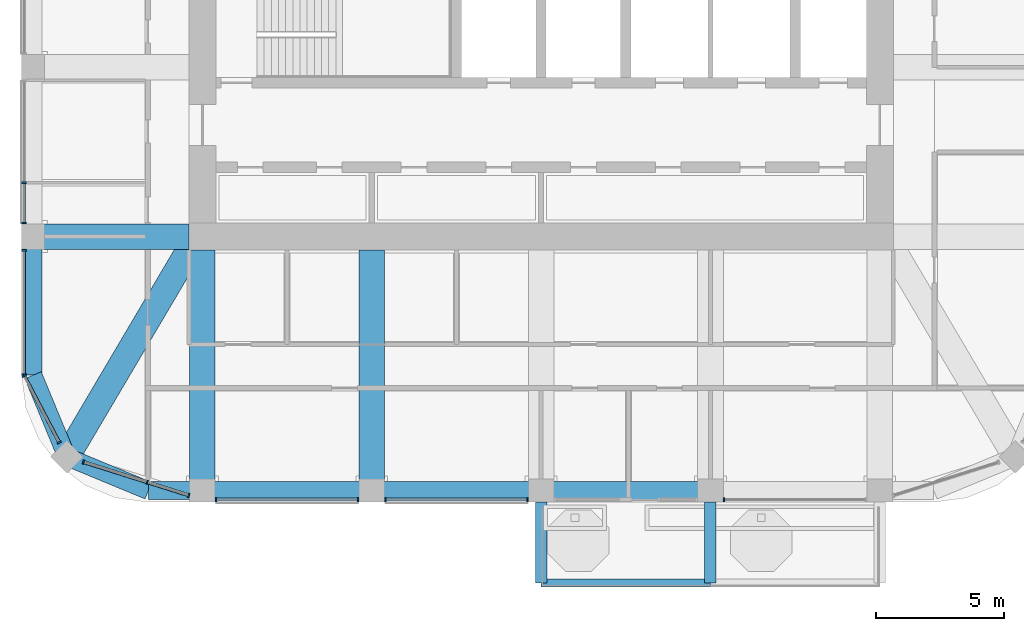
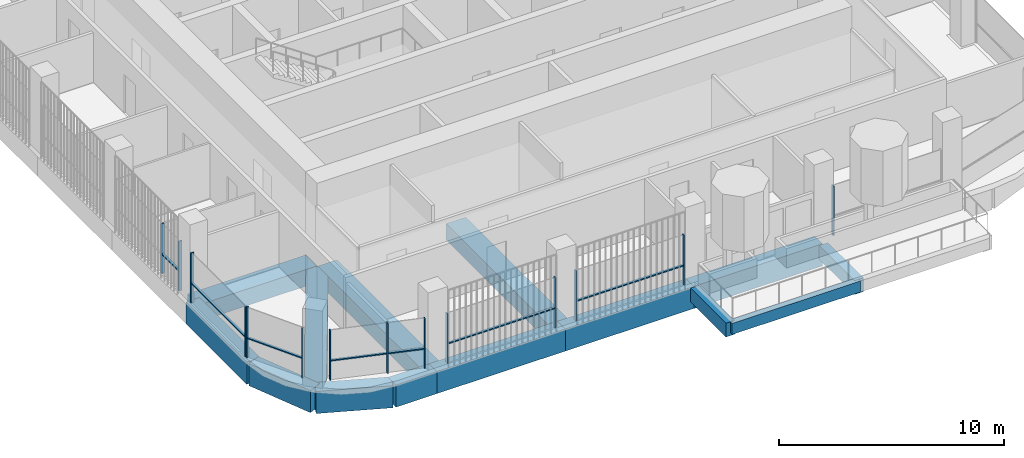
# One storey, part 2 of 21: 21 members, 14 beams, 7 elements without a shape of their own.
"""IFC4 building model written with IfcOpenShell, lengths in metres."""

from ifc_helpers import new_model, si_unit, direction, frame, origin, origin_2d, place, context, subcontext, project, spatial, rectangle, extrude, material, material_profile, profile_set, type_object, element, aggregate, save


model = new_model("IFC4")

# Units and contexts
model_context = context("Model", 3, precision=1e-05, world=origin(), true_north=direction((0.0, 1.0)))
body_context = subcontext(model_context, "Body", "Model", "MODEL_VIEW")
ifc_project = project(units=[si_unit("LENGTHUNIT", "METRE"), si_unit("AREAUNIT", "SQUARE_METRE"), si_unit("VOLUMEUNIT", "CUBIC_METRE"), si_unit("PLANEANGLEUNIT", "RADIAN"), si_unit("MASSUNIT", "GRAM", prefix="KILO")], contexts=[model_context])

# Site, building, storey
site_placement = place(None, origin())
site = spatial("IfcSite", under=ifc_project, at=site_placement, CompositionType="ELEMENT")
building_placement = place(site_placement, origin())
building = spatial("IfcBuilding", under=site, at=building_placement, Name="Cobogo Forest Laboratory Tower", CompositionType="ELEMENT")
storey_placement = place(building_placement, frame((0.0, 0.0, 267.0)))
storey = spatial("IfcBuildingStorey", under=building, at=storey_placement, Name="L61", CompositionType="ELEMENT", Elevation=267.0)

# Beams
ifc_material_1 = material(Name="Concrete HA-40 (C40/50)", Category="concrete")
ifc_material_profile_1 = material_profile(ifc_material_1, rectangle(XDim=0.449951171875, YDim=0.75, at=origin_2d()), Name="RC 450x750")
ifc_profile_set_1 = profile_set([ifc_material_profile_1], Name="Concrete HA-40 (C40/50)")
beam_type_1 = type_object("IfcBeamType", Name="Balcony cantilever beam 450x750", PredefinedType="BEAM", material=ifc_profile_set_1)
for number, where, z_axis, x_axis, name in (
    (1, (26.39990234375, 2.85009765625, -0.625), (0.0, -1.0, 0.0), (1.0, 0.0, 0.0), "CB1 BAL-S1-C1 L61"),
    (2, (33.0, 2.85009765625, -0.625), (0.0, -1.0, 0.0), (1.0, 0.0, 0.0), "CB1 BAL-S1-C2 L61"),
):
    element("IfcBeam", number, at=place(storey_placement, frame(where, z_axis=z_axis, x_axis=x_axis)), inside=storey, type_object=beam_type_1, Name=name, PredefinedType="BEAM", context=body_context, shape_type="SweptSolid", body=[
        extrude(rectangle(XDim=0.449951171875, YDim=0.75, at=origin_2d()), origin(), (0.0, 0.0, 1.0), 3.150146484375),
    ])
ifc_material_profile_2 = material_profile(ifc_material_1, rectangle(XDim=0.300048828125, YDim=0.60009765625, at=origin_2d()), Name="RC 300x600")
ifc_profile_set_2 = profile_set([ifc_material_profile_2], Name="Concrete HA-40 (C40/50)")
beam_type_2 = type_object("IfcBeamType", Name="Balcony edge beam 300x600", PredefinedType="BEAM", material=ifc_profile_set_2)
beam_1_placement = place(storey_placement, frame((26.39990234375, -0.300048828125, -0.550048828125), z_axis=(1.0, 0.0, 0.0), x_axis=(0.0, 1.0, 0.0)))
element("IfcBeam", 3, at=beam_1_placement, inside=storey, type_object=beam_type_2, Name="BB1 BAL-S1-T1 L61", PredefinedType="BEAM", context=body_context, shape_type="SweptSolid", body=[
    extrude(rectangle(XDim=0.300048828125, YDim=0.60009765625, at=origin_2d()), origin(), (0.0, 0.0, 1.0), 6.60009765625),
])

# Curtain wall, members
ifc_material_2 = material(Name="Aluminium curtain wall", Category="aluminium")
curtain_wall_type = type_object("IfcCurtainWallType", Name="CW-2 unitised curtain wall, solar control glazing, laboratory floors zones C and D", PredefinedType="USERDEFINED", material=ifc_material_2)
curtain_wall_1_placement = place(storey_placement, origin())
curtain_wall_1 = element("IfcCurtainWall", 4, at=curtain_wall_1_placement, inside=storey, type_object=curtain_wall_type, Name="Curtain wall 01 L61", ObjectType="UNITISED CURTAIN WALL", PredefinedType="USERDEFINED")
ifc_material_3 = material(Name="Aluminium mullion", Category="aluminium")
ifc_material_profile_3 = material_profile(ifc_material_3, rectangle(XDim=0.06005859375, YDim=0.159912109375, at=origin_2d()), Name="AL 60x160")
ifc_profile_set_3 = profile_set([ifc_material_profile_3], Name="Aluminium mullion")
member_type_1 = type_object("IfcMemberType", Name="MU-1 aluminium mullion 60x160", PredefinedType="MULLION", material=ifc_profile_set_3)
member_1_placement = place(storey_placement, frame((13.72998046875, 2.949951171875, 0.0), z_axis=(0.0, 0.0, 1.0), x_axis=(1.0, 0.0, 0.0)))
member_1 = element("IfcMember", 5, at=member_1_placement, type_object=member_type_1, Name="CW-2 mullion 1", PredefinedType="MULLION", context=body_context, shape_type="SweptSolid", body=[
    extrude(rectangle(XDim=0.06005859375, YDim=0.159912109375, at=origin_2d()), origin(), (0.0, 0.0, 1.0), 2.699951171875),
])
member_2_placement = place(storey_placement, frame((19.27001953125, 2.949951171875, 0.0), z_axis=(0.0, 0.0, 1.0), x_axis=(1.0, 0.0, 0.0)))
member_2 = element("IfcMember", 6, at=member_2_placement, type_object=member_type_1, Name="CW-2 mullion 2", PredefinedType="MULLION", context=body_context, shape_type="SweptSolid", body=[
    extrude(rectangle(XDim=0.06005859375, YDim=0.159912109375, at=origin_2d()), origin(), (0.0, 0.0, 1.0), 2.699951171875),
])

curtain_wall_2_placement = place(storey_placement, origin())
curtain_wall_2 = element("IfcCurtainWall", 7, at=curtain_wall_2_placement, inside=storey, type_object=curtain_wall_type, Name="Curtain wall 02 L61", ObjectType="UNITISED CURTAIN WALL", PredefinedType="USERDEFINED")
member_3_placement = place(storey_placement, frame((20.330078125, 2.949951171875, 0.0), z_axis=(0.0, 0.0, 1.0), x_axis=(1.0, 0.0, 0.0)))
member_3 = element("IfcMember", 8, at=member_3_placement, type_object=member_type_1, Name="CW-2 mullion 1", PredefinedType="MULLION", context=body_context, shape_type="SweptSolid", body=[
    extrude(rectangle(XDim=0.06005859375, YDim=0.159912109375, at=origin_2d()), origin(), (0.0, 0.0, 1.0), 2.699951171875),
])
member_4_placement = place(storey_placement, frame((25.8701171875, 2.949951171875, 0.0), z_axis=(0.0, 0.0, 1.0), x_axis=(1.0, 0.0, 0.0)))
member_4 = element("IfcMember", 9, at=member_4_placement, type_object=member_type_1, Name="CW-2 mullion 2", PredefinedType="MULLION", context=body_context, shape_type="SweptSolid", body=[
    extrude(rectangle(XDim=0.06005859375, YDim=0.159912109375, at=origin_2d()), origin(), (0.0, 0.0, 1.0), 2.699951171875),
])

# Curtain wall, member
curtain_wall_3_placement = place(storey_placement, origin())
curtain_wall_3 = element("IfcCurtainWall", 10, at=curtain_wall_3_placement, inside=storey, type_object=curtain_wall_type, Name="Curtain wall 04 L61", ObjectType="UNITISED CURTAIN WALL", PredefinedType="USERDEFINED")
member_5_placement = place(storey_placement, frame((33.530029296875, 2.949951171875, 0.0), z_axis=(0.0, 0.0, 1.0), x_axis=(1.0, 0.0, 0.0)))
member_5 = element("IfcMember", 11, at=member_5_placement, type_object=member_type_1, Name="CW-2 mullion 1", PredefinedType="MULLION", context=body_context, shape_type="SweptSolid", body=[
    extrude(rectangle(XDim=0.06005859375, YDim=0.159912109375, at=origin_2d()), origin(), (0.0, 0.0, 1.0), 2.699951171875),
])
aggregate(curtain_wall_3, [member_5])

# Curtain wall, members
curtain_wall_4_placement = place(storey_placement, origin())
curtain_wall_4 = element("IfcCurtainWall", 12, at=curtain_wall_4_placement, inside=storey, type_object=curtain_wall_type, Name="Curtain wall 23 L61", ObjectType="UNITISED CURTAIN WALL", PredefinedType="USERDEFINED")
member_6_placement = place(storey_placement, frame((6.25, 15.300048828125, 0.0), z_axis=(0.0, 0.0, 1.0), x_axis=(0.0, -1.0, 0.0)))
member_6 = element("IfcMember", 13, at=member_6_placement, type_object=member_type_1, Name="CW-2 mullion 2", PredefinedType="MULLION", context=body_context, shape_type="SweptSolid", body=[
    extrude(rectangle(XDim=0.06005859375, YDim=0.159912109375, at=origin_2d()), origin(), (0.0, 0.0, 1.0), 2.699951171875),
])
member_7_placement = place(storey_placement, frame((6.25, 13.72998046875, 0.0), z_axis=(0.0, 0.0, 1.0), x_axis=(0.0, -1.0, 0.0)))
member_7 = element("IfcMember", 14, at=member_7_placement, type_object=member_type_1, Name="CW-2 mullion 3", PredefinedType="MULLION", context=body_context, shape_type="SweptSolid", body=[
    extrude(rectangle(XDim=0.06005859375, YDim=0.159912109375, at=origin_2d()), origin(), (0.0, 0.0, 1.0), 2.699951171875),
])

curtain_wall_5_placement = place(storey_placement, origin())
curtain_wall_5 = element("IfcCurtainWall", 15, at=curtain_wall_5_placement, inside=storey, type_object=curtain_wall_type, Name="Curtain wall 24 L61", ObjectType="UNITISED CURTAIN WALL", PredefinedType="USERDEFINED")
member_8_placement = place(storey_placement, frame((6.25, 12.669921875, 0.0), z_axis=(0.0, 0.0, 1.0), x_axis=(0.0, -1.0, 0.0)))
member_8 = element("IfcMember", 16, at=member_8_placement, type_object=member_type_1, Name="CW-2 mullion 1", PredefinedType="MULLION", context=body_context, shape_type="SweptSolid", body=[
    extrude(rectangle(XDim=0.06005859375, YDim=0.159912109375, at=origin_2d()), origin(), (0.0, 0.0, 1.0), 2.699951171875),
])
member_9_placement = place(storey_placement, frame((6.25, 7.830078125, 0.0), z_axis=(0.0, 0.0, 1.0), x_axis=(0.0, -1.0, 0.0)))
member_9 = element("IfcMember", 17, at=member_9_placement, type_object=member_type_1, Name="CW-2 mullion 2", PredefinedType="MULLION", context=body_context, shape_type="SweptSolid", body=[
    extrude(rectangle(XDim=0.06005859375, YDim=0.159912109375, at=origin_2d()), origin(), (0.0, 0.0, 1.0), 2.699951171875),
])

curtain_wall_6_placement = place(storey_placement, origin())
curtain_wall_6 = element("IfcCurtainWall", 18, at=curtain_wall_6_placement, inside=storey, type_object=curtain_wall_type, Name="Curtain wall 25 L61", ObjectType="UNITISED CURTAIN WALL", PredefinedType="USERDEFINED")
member_10_placement = place(storey_placement, frame((6.263916015625, 7.7734375, 0.0), z_axis=(0.0, 0.0, 1.0), x_axis=(0.464283778337, -0.885686498245, 0.0)))
member_10 = element("IfcMember", 19, at=member_10_placement, type_object=member_type_1, Name="CW-2 mullion 1", PredefinedType="MULLION", context=body_context, shape_type="SweptSolid", body=[
    extrude(rectangle(XDim=0.06005859375, YDim=0.159912109375, at=origin_2d()), origin(), (0.0, 0.0, 1.0), 2.699951171875),
])
member_11_placement = place(storey_placement, frame((7.6220703125, 5.1826171875, 0.0), z_axis=(0.0, 0.0, 1.0), x_axis=(0.464283778337, -0.885686498245, 0.0)))
member_11 = element("IfcMember", 20, at=member_11_placement, type_object=member_type_1, Name="CW-2 mullion 2", PredefinedType="MULLION", context=body_context, shape_type="SweptSolid", body=[
    extrude(rectangle(XDim=0.06005859375, YDim=0.159912109375, at=origin_2d()), origin(), (0.0, 0.0, 1.0), 2.699951171875),
])

curtain_wall_7_placement = place(storey_placement, origin())
curtain_wall_7 = element("IfcCurtainWall", 21, at=curtain_wall_7_placement, inside=storey, type_object=curtain_wall_type, Name="Curtain wall 26 L61", ObjectType="UNITISED CURTAIN WALL", PredefinedType="USERDEFINED")
member_12_placement = place(storey_placement, frame((8.570068359375, 4.412109375, 0.0), z_axis=(0.0, 0.0, 1.0), x_axis=(0.953581379409, -0.301135439371, 0.0)))
member_12 = element("IfcMember", 22, at=member_12_placement, type_object=member_type_1, Name="CW-2 mullion 1", PredefinedType="MULLION", context=body_context, shape_type="SweptSolid", body=[
    extrude(rectangle(XDim=0.06005859375, YDim=0.159912109375, at=origin_2d()), origin(), (0.0, 0.0, 1.0), 2.699951171875),
])
member_13_placement = place(storey_placement, frame((11.051025390625, 3.628662109375, 0.0), z_axis=(0.0, 0.0, 1.0), x_axis=(0.953581379409, -0.301135439371, 0.0)))
member_13 = element("IfcMember", 23, at=member_13_placement, type_object=member_type_1, Name="CW-2 mullion 2", PredefinedType="MULLION", context=body_context, shape_type="SweptSolid", body=[
    extrude(rectangle(XDim=0.06005859375, YDim=0.159912109375, at=origin_2d()), origin(), (0.0, 0.0, 1.0), 2.699951171875),
])
member_14_placement = place(storey_placement, frame((12.67138671875, 3.116943359375, 0.0), z_axis=(0.0, 0.0, 1.0), x_axis=(0.953581379409, -0.301135439371, 0.0)))
member_14 = element("IfcMember", 24, at=member_14_placement, type_object=member_type_1, Name="CW-2 mullion 3", PredefinedType="MULLION", context=body_context, shape_type="SweptSolid", body=[
    extrude(rectangle(XDim=0.06005859375, YDim=0.159912109375, at=origin_2d()), origin(), (0.0, 0.0, 1.0), 2.699951171875),
])

# Beams
ifc_material_profile_4 = material_profile(ifc_material_1, rectangle(XDim=1.0, YDim=0.89990234375, at=origin_2d()), Name="RC 1000x900")
ifc_profile_set_4 = profile_set([ifc_material_profile_4], Name="Concrete HA-40 (C40/50)")
beam_type_3 = type_object("IfcBeamType", Name="Office floor wide beam 1000x900", PredefinedType="BEAM", material=ifc_profile_set_4)
for number, where, z_axis, x_axis, name in (
    (25, (13.199951171875, 12.675048828125, -0.75), (0.0, -1.0, 0.0), (1.0, 0.0, 0.0), "RB2 R-3-S L61"),
    (26, (19.800048828125, 12.675048828125, -0.75), (0.0, -1.0, 0.0), (1.0, 0.0, 0.0), "RB2 R-4-S L61"),
):
    element("IfcBeam", number, at=place(storey_placement, frame(where, z_axis=z_axis, x_axis=x_axis)), inside=storey, type_object=beam_type_3, Name=name, PredefinedType="BEAM", context=body_context, shape_type="SweptSolid", body=[
        extrude(rectangle(XDim=1.0, YDim=0.89990234375, at=origin_2d()), origin(), (0.0, 0.0, 1.0), 9.375),
    ])
beam_2_placement = place(storey_placement, frame((12.675048828125, 13.199951171875, -0.75), z_axis=(-1.0, 0.0, 0.0), x_axis=(0.0, -1.0, 0.0)))
element("IfcBeam", 27, at=beam_2_placement, inside=storey, type_object=beam_type_3, Name="RB2 R-C-W L61", PredefinedType="BEAM", context=body_context, shape_type="SweptSolid", body=[
    extrude(rectangle(XDim=1.0, YDim=0.89990234375, at=origin_2d()), origin(), (0.0, 0.0, 1.0), 6.074951171875),
])
beam_3_placement = place(storey_placement, frame((7.91796875, 4.617919921875, -0.75), z_axis=(0.508416325908, 0.861111397875, 0.0), x_axis=(-0.861111397875, 0.508416325908, 0.0)))
element("IfcBeam", 28, at=beam_3_placement, inside=storey, type_object=beam_type_3, Name="RB2 G-SW-D1 L61", PredefinedType="BEAM", context=body_context, shape_type="SweptSolid", body=[
    extrude(rectangle(XDim=1.0, YDim=0.89990234375, at=origin_2d()), origin(), (0.0, 0.0, 1.0), 9.356689453125),
])
ifc_material_profile_5 = material_profile(ifc_material_1, rectangle(XDim=0.699951171875, YDim=1.199951171875, at=origin_2d()), Name="RC 700x1200")
ifc_profile_set_5 = profile_set([ifc_material_profile_5], Name="Concrete HA-40 (C40/50)")
beam_type_4 = type_object("IfcBeamType", Name="Perimeter edge beam 700x1200", PredefinedType="BEAM", material=ifc_profile_set_5)
beam_4_placement = place(storey_placement, frame((13.199951171875, 3.300048828125, -0.89990234375), z_axis=(1.0, 0.0, 0.0), x_axis=(0.0, 1.0, 0.0)))
element("IfcBeam", 29, at=beam_4_placement, inside=storey, type_object=beam_type_4, Name="EB1 E-S1 L61", PredefinedType="BEAM", context=body_context, shape_type="SweptSolid", body=[
    extrude(rectangle(XDim=0.699951171875, YDim=1.199951171875, at=origin_2d()), origin(), (0.0, 0.0, 1.0), 6.60009765625),
])
beam_5_placement = place(storey_placement, frame((19.800048828125, 3.300048828125, -0.89990234375), z_axis=(1.0, 0.0, 0.0), x_axis=(0.0, 1.0, 0.0)))
element("IfcBeam", 30, at=beam_5_placement, inside=storey, type_object=beam_type_4, Name="EB1 E-S2 L61", PredefinedType="BEAM", context=body_context, shape_type="SweptSolid", body=[
    extrude(rectangle(XDim=0.699951171875, YDim=1.199951171875, at=origin_2d()), origin(), (0.0, 0.0, 1.0), 6.599853515625),
])
beam_6_placement = place(storey_placement, frame((26.39990234375, 3.300048828125, -0.89990234375), z_axis=(1.0, 0.0, 0.0), x_axis=(0.0, 1.0, 0.0)))
element("IfcBeam", 31, at=beam_6_placement, inside=storey, type_object=beam_type_4, Name="EB1 E-S3 L61", PredefinedType="BEAM", context=body_context, shape_type="SweptSolid", body=[
    extrude(rectangle(XDim=0.699951171875, YDim=1.199951171875, at=origin_2d()), origin(), (0.0, 0.0, 1.0), 6.60009765625),
])
beam_7_placement = place(storey_placement, frame((13.199951171875, 3.300048828125, -0.89990234375), z_axis=(-1.0, 0.0, 0.0), x_axis=(0.0, -1.0, 0.0)))
element("IfcBeam", 32, at=beam_7_placement, inside=storey, type_object=beam_type_4, Name="EB1 E-SWS1 L61", PredefinedType="BEAM", context=body_context, shape_type="SweptSolid", body=[
    extrude(rectangle(XDim=0.699951171875, YDim=1.199951171875, at=origin_2d()), origin(), (0.0, 0.0, 1.0), 2.099853515625),
])
beam_8_placement = place(storey_placement, frame((11.10009765625, 3.300048828125, -0.89990234375), z_axis=(-0.923901072997, 0.382631424892, 0.0), x_axis=(-0.382631424892, -0.923901072997, 0.0)))
element("IfcBeam", 33, at=beam_8_placement, inside=storey, type_object=beam_type_4, Name="EB1 E-SWS2 L61", PredefinedType="BEAM", context=body_context, shape_type="SweptSolid", body=[
    extrude(rectangle(XDim=0.699951171875, YDim=1.199951171875, at=origin_2d()), origin(), (0.0, 0.0, 1.0), 3.4443359375),
])
beam_9_placement = place(storey_placement, frame((6.60009765625, 13.199951171875, -0.89990234375), z_axis=(0.0, -1.0, 0.0), x_axis=(1.0, 0.0, 0.0)))
element("IfcBeam", 34, at=beam_9_placement, inside=storey, type_object=beam_type_4, Name="EB1 E-SWW1 L61", PredefinedType="BEAM", context=body_context, shape_type="SweptSolid", body=[
    extrude(rectangle(XDim=0.699951171875, YDim=1.199951171875, at=origin_2d()), origin(), (0.0, 0.0, 1.0), 5.39990234375),
])
beam_10_placement = place(storey_placement, frame((6.60009765625, 7.800048828125, -0.89990234375), z_axis=(0.382631424892, -0.923901072997, 0.0), x_axis=(0.923901072997, 0.382631424892, 0.0)))
element("IfcBeam", 35, at=beam_10_placement, inside=storey, type_object=beam_type_4, Name="EB1 E-SWW2 L61", PredefinedType="BEAM", context=body_context, shape_type="SweptSolid", body=[
    extrude(rectangle(XDim=0.699951171875, YDim=1.199951171875, at=origin_2d()), origin(), (0.0, 0.0, 1.0), 3.4443359375),
])

# Member
ifc_material_4 = material(Name="Aluminium transom", Category="aluminium")
ifc_material_profile_6 = material_profile(ifc_material_4, rectangle(XDim=0.1201171875, YDim=0.06005859375, at=origin_2d()), Name="AL 60x120")
ifc_profile_set_6 = profile_set([ifc_material_profile_6], Name="Aluminium transom")
member_type_2 = type_object("IfcMemberType", Name="TR-1 aluminium transom 60x120", PredefinedType="USERDEFINED", material=ifc_profile_set_6)
member_15_placement = place(storey_placement, frame((13.760009765625, 2.949951171875, 1.050048828125), z_axis=(1.0, 0.0, 0.0), x_axis=(0.0, 1.0, 0.0)))
member_15 = element("IfcMember", 36, at=member_15_placement, type_object=member_type_2, Name="CW-2 transom 1.1", ObjectType="TRANSOM", PredefinedType="USERDEFINED", context=body_context, shape_type="SweptSolid", body=[
    extrude(rectangle(XDim=0.1201171875, YDim=0.06005859375, at=origin_2d()), origin(), (0.0, 0.0, 1.0), 5.47998046875),
])

aggregate(curtain_wall_1, [member_1, member_2, member_15])

member_16_placement = place(storey_placement, frame((20.360107421875, 2.949951171875, 1.050048828125), z_axis=(1.0, 0.0, 0.0), x_axis=(0.0, 1.0, 0.0)))
member_16 = element("IfcMember", 37, at=member_16_placement, type_object=member_type_2, Name="CW-2 transom 1.1", ObjectType="TRANSOM", PredefinedType="USERDEFINED", context=body_context, shape_type="SweptSolid", body=[
    extrude(rectangle(XDim=0.1201171875, YDim=0.06005859375, at=origin_2d()), origin(), (0.0, 0.0, 1.0), 5.47998046875),
])

aggregate(curtain_wall_2, [member_3, member_4, member_16])

member_17_placement = place(storey_placement, frame((6.25, 15.27001953125, 1.050048828125), z_axis=(0.0, -1.0, 0.0), x_axis=(1.0, 0.0, 0.0)))
member_17 = element("IfcMember", 38, at=member_17_placement, type_object=member_type_2, Name="CW-2 transom 2.1", ObjectType="TRANSOM", PredefinedType="USERDEFINED", context=body_context, shape_type="SweptSolid", body=[
    extrude(rectangle(XDim=0.1201171875, YDim=0.06005859375, at=origin_2d()), origin(), (0.0, 0.0, 1.0), 1.510009765625),
])

aggregate(curtain_wall_4, [member_6, member_7, member_17])

member_18_placement = place(storey_placement, frame((6.25, 12.639892578125, 1.050048828125), z_axis=(0.0, -1.0, 0.0), x_axis=(1.0, 0.0, 0.0)))
member_18 = element("IfcMember", 39, at=member_18_placement, type_object=member_type_2, Name="CW-2 transom 1.1", ObjectType="TRANSOM", PredefinedType="USERDEFINED", context=body_context, shape_type="SweptSolid", body=[
    extrude(rectangle(XDim=0.1201171875, YDim=0.06005859375, at=origin_2d()), origin(), (0.0, 0.0, 1.0), 4.77978515625),
])

aggregate(curtain_wall_5, [member_8, member_9, member_18])

member_19_placement = place(storey_placement, frame((6.27783203125, 7.746826171875, 1.050048828125), z_axis=(0.46430944806, -0.885673041501, 0.0), x_axis=(0.885673041501, 0.46430944806, 0.0)))
member_19 = element("IfcMember", 40, at=member_19_placement, type_object=member_type_2, Name="CW-2 transom 1.1", ObjectType="TRANSOM", PredefinedType="USERDEFINED", context=body_context, shape_type="SweptSolid", body=[
    extrude(rectangle(XDim=0.1201171875, YDim=0.06005859375, at=origin_2d()), origin(), (0.0, 0.0, 1.0), 2.865234375),
])

aggregate(curtain_wall_6, [member_10, member_11, member_19])

member_20_placement = place(storey_placement, frame((8.5986328125, 4.403076171875, 1.050048828125), z_axis=(0.953578309712, -0.301145159761, 0.0), x_axis=(0.301145159761, 0.953578309712, 0.0)))
member_20 = element("IfcMember", 41, at=member_20_placement, type_object=member_type_2, Name="CW-2 transom 1.1", ObjectType="TRANSOM", PredefinedType="USERDEFINED", context=body_context, shape_type="SweptSolid", body=[
    extrude(rectangle(XDim=0.1201171875, YDim=0.06005859375, at=origin_2d()), origin(), (0.0, 0.0, 1.0), 2.54150390625),
])

member_21_placement = place(storey_placement, frame((11.07958984375, 3.61962890625, 1.050048828125), z_axis=(0.953582665134, -0.301131367937, 0.0), x_axis=(0.301131367937, 0.953582665134, 0.0)))
member_21 = element("IfcMember", 42, at=member_21_placement, type_object=member_type_2, Name="CW-2 transom 2.1", ObjectType="TRANSOM", PredefinedType="USERDEFINED", context=body_context, shape_type="SweptSolid", body=[
    extrude(rectangle(XDim=0.1201171875, YDim=0.06005859375, at=origin_2d()), origin(), (0.0, 0.0, 1.0), 1.639404296875),
])

aggregate(curtain_wall_7, [member_12, member_13, member_14, member_20, member_21])

save(model, "model.ifc")
